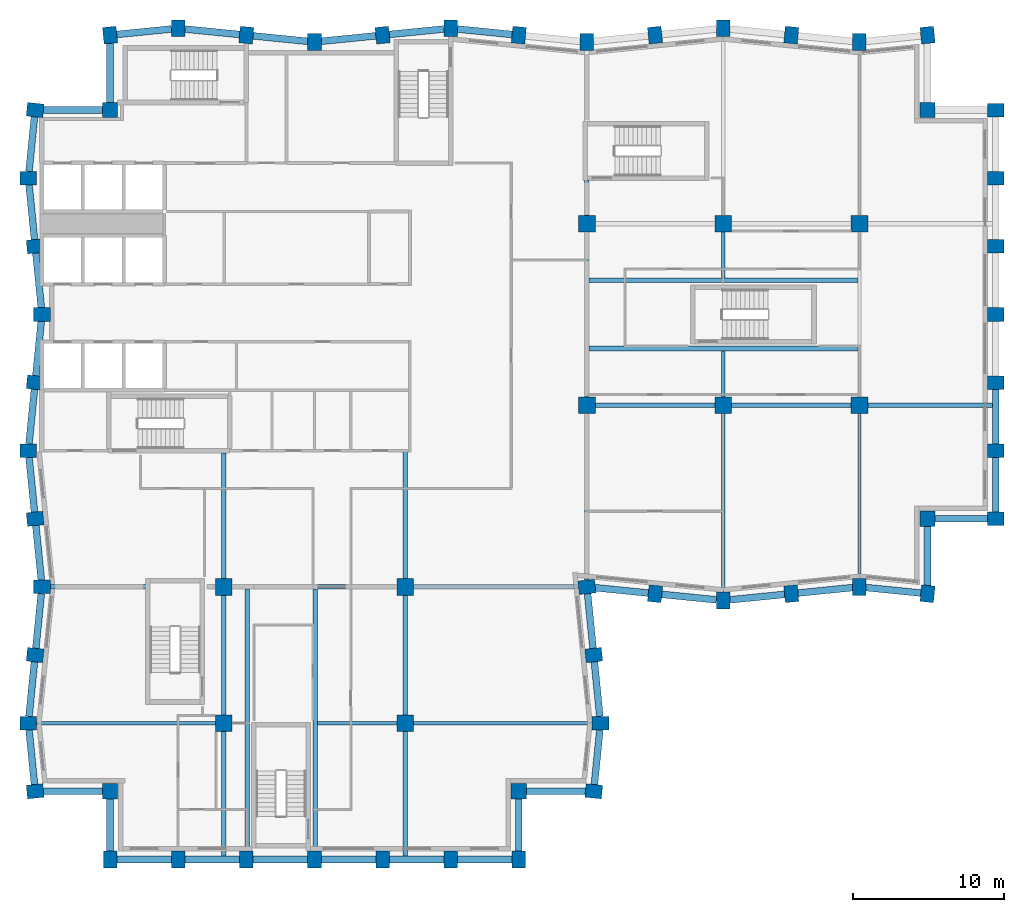
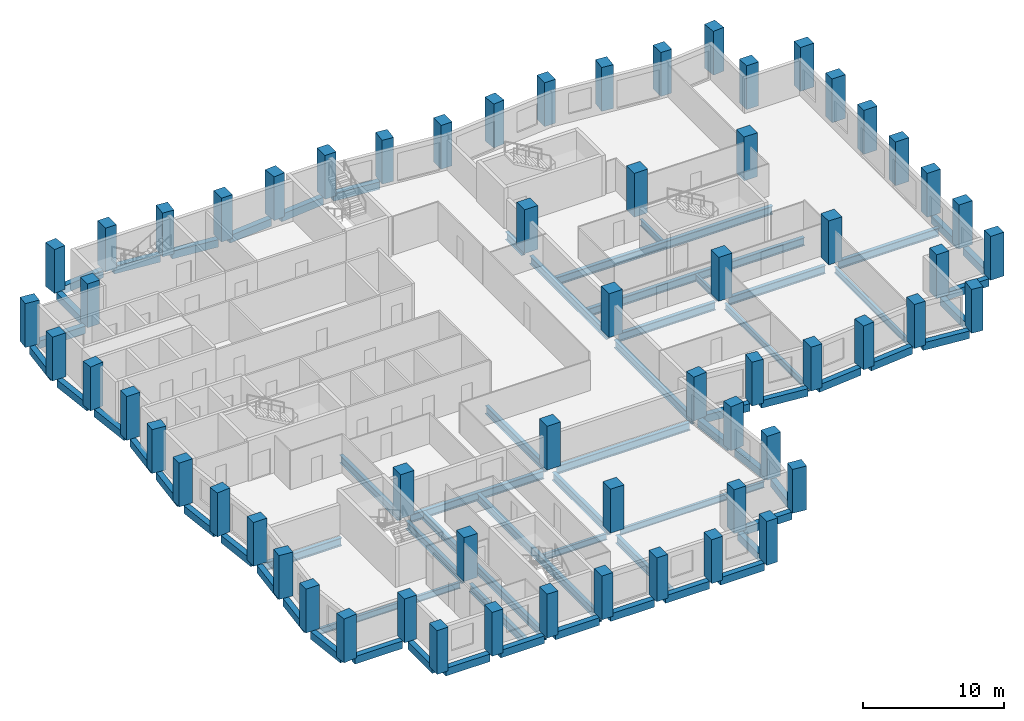
# One storey, part 1 of 10: 66 beams, 62 columns.
"""IFC4 building model written with IfcOpenShell, lengths in metres."""

import ifcopenshell
import ifcopenshell.guid

model = None  # the IFC model being written
_history = None  # IfcOwnerHistory: only IFC2X3 demands one
_inside = {}  # id of a spatial element -> (the spatial element, [elements in it])
_under = {}  # id of a project, library or spatial element -> (it, [spatial elements below it])
_declared = {}  # id of a project -> (the project, [libraries it declares])
_typed = {}  # id of a type object -> (the type object, [elements of that type])
_made_of = {}  # id of a material, layer set ... -> (it, [elements and type objects made of it])


def new_model(schema):
    """Start an empty IFC model of exactly this schema.

    Asked for "IFC4X3", IfcOpenShell would pick the latest addendum, in which some entities
    have other attributes; the version numbers below select the first issue.
    IFC2X3 requires an IfcOwnerHistory on every rooted entity: one is made here for all.
    """
    global model, _history
    if schema == "IFC4X3":
        model = ifcopenshell.file(schema_version=(4, 3, 0, 0))
    else:
        model = ifcopenshell.file(schema=schema)
    _inside.clear()
    _under.clear()
    _declared.clear()
    _typed.clear()
    _made_of.clear()
    _history = None
    if model.schema == "IFC2X3":
        org = make("IfcOrganization", Name="unknown")
        user = make(
            "IfcPersonAndOrganization",
            ThePerson=make("IfcPerson", FamilyName="unknown"),
            TheOrganization=org,
        )
        app = make(
            "IfcApplication",
            ApplicationDeveloper=org,
            Version="unknown",
            ApplicationFullName="unknown",
            ApplicationIdentifier="unknown",
        )
        _history = make(
            "IfcOwnerHistory",
            OwningUser=user,
            OwningApplication=app,
            ChangeAction="ADDED",
            CreationDate=0,
        )
    return model


def make(cls, **values):
    """One entity of the class cls with the attributes given. An attribute that is None is left unset."""
    return model.create_entity(
        cls, **{name: value for name, value in values.items() if value is not None}
    )


def rooted(cls, **values):
    """An entity with a GlobalId (a new one), such as an element, a storey or a relation."""
    return make(cls, GlobalId=ifcopenshell.guid.new(), OwnerHistory=_history, **values)


def si_unit(unit_type, name, prefix=None):
    """IfcSIUnit, for example si_unit("LENGTHUNIT", "METRE", prefix="MILLI")."""
    return make("IfcSIUnit", UnitType=unit_type, Prefix=prefix, Name=name)


def assignment(units):
    """IfcUnitAssignment: the units of a project."""
    return None if units is None else make("IfcUnitAssignment", Units=units)


def point(xyz):
    """IfcCartesianPoint."""
    return None if xyz is None else make("IfcCartesianPoint", Coordinates=xyz)


def direction(xyz):
    """IfcDirection."""
    return None if xyz is None else make("IfcDirection", DirectionRatios=xyz)


def frame(location, z_axis=None, x_axis=None):
    """IfcAxis2Placement3D, a coordinate frame: its origin and axes. An axis left out is left unset."""
    return make(
        "IfcAxis2Placement3D",
        Location=point(location),
        Axis=direction(z_axis),
        RefDirection=direction(x_axis),
    )


def frame_2d(location, x_axis=None):
    """IfcAxis2Placement2D, a coordinate frame in the plane: its origin and x axis."""
    return make(
        "IfcAxis2Placement2D", Location=point(location), RefDirection=direction(x_axis)
    )


def origin():
    """The frame at (0, 0, 0) with its axes left unset."""
    return frame((0.0, 0.0, 0.0))


def origin_2d():
    """The frame at (0, 0) in the plane with its x axis left unset."""
    return frame_2d((0.0, 0.0))


def place(relative_to, where):
    """IfcLocalPlacement: puts the frame where relative to a parent placement (None: the world)."""
    return make(
        "IfcLocalPlacement", PlacementRelTo=relative_to, RelativePlacement=where
    )


def context(
    kind, dimensions, precision=None, world=None, true_north=None, identifier=None
):
    """IfcGeometricRepresentationContext, for example the 3D "Model" context."""
    return make(
        "IfcGeometricRepresentationContext",
        ContextIdentifier=identifier,
        ContextType=kind,
        CoordinateSpaceDimension=dimensions,
        Precision=precision,
        WorldCoordinateSystem=world,
        TrueNorth=true_north,
    )


def subcontext(parent, identifier, kind, view, scale=None):
    """IfcGeometricRepresentationSubContext, for example "Body" below "Model"."""
    return make(
        "IfcGeometricRepresentationSubContext",
        ContextIdentifier=identifier,
        ContextType=kind,
        ParentContext=parent,
        TargetScale=scale,
        TargetView=view,
    )


def project(units=None, contexts=None):
    """IfcProject with its units and contexts."""
    return rooted(
        "IfcProject",
        Name="project",
        RepresentationContexts=contexts,
        UnitsInContext=assignment(units),
    )


def spatial(cls, under=None, at=None, **own):
    """A site, building, storey or space (cls), placed at a placement, below another one or the project."""
    s = rooted(cls, ObjectPlacement=at, **own)
    if under is not None:
        _under.setdefault(under.id(), (under, []))[1].append(s)
    return s


def profile(cls, at=None, kind="AREA", **sizes):
    """A parametric profile (cls). Its sizes go by their IFC names, for example OverallWidth=200.0."""
    return make(cls, ProfileType=kind, Position=at, **sizes)


def rectangle(**sizes):
    """IfcRectangleProfileDef."""
    return profile("IfcRectangleProfileDef", **sizes)


def i_section(**sizes):
    """IfcIShapeProfileDef."""
    return profile("IfcIShapeProfileDef", **sizes)


def extrude(swept, where, along, depth):
    """IfcExtrudedAreaSolid: the profile swept, set in the frame where, extruded along a direction by depth."""
    return make(
        "IfcExtrudedAreaSolid",
        SweptArea=swept,
        Position=where,
        ExtrudedDirection=direction(along),
        Depth=depth,
    )


def shape(context_of_items, identifier, shape_type, items):
    """IfcShapeRepresentation: the items that make up one representation, for example the "Body"."""
    return make(
        "IfcShapeRepresentation",
        ContextOfItems=context_of_items,
        RepresentationIdentifier=identifier,
        RepresentationType=shape_type,
        Items=items,
    )


def material(Name=None, Category=None):
    """IfcMaterial."""
    return make("IfcMaterial", Name=Name, Category=Category)


def material_profile(
    of_material, cross_section, Name=None, Category=None, Priority=None
):
    """IfcMaterialProfile: a cross section and its material."""
    return make(
        "IfcMaterialProfile",
        Name=Name,
        Material=of_material,
        Profile=cross_section,
        Priority=Priority,
        Category=Category,
    )


def profile_set(profiles, Name=None, composite=None):
    """IfcMaterialProfileSet."""
    return make(
        "IfcMaterialProfileSet",
        Name=Name,
        MaterialProfiles=profiles,
        CompositeProfile=composite,
    )


def made_of(thing, what):
    """Note that an element or type object is made of a material, layer set ...; save() writes the relation."""
    if what is not None:
        _made_of.setdefault(what.id(), (what, []))[1].append(thing)
    return thing


def type_object(cls, material=None, **own):
    """A type object (cls), such as IfcWallType, which elements share."""
    return made_of(rooted(cls, **own), material)


def element(
    cls,
    number,
    at=None,
    inside=None,
    cuts=None,
    type_object=None,
    material=None,
    context=None,
    identifier="Body",
    shape_type=None,
    held_by="IfcProductDefinitionShape",
    body=None,
    shapes=None,
    **own,
):
    """One element of the class cls, such as IfcWall. Its Tag is "e" and its number.

    at: its placement. inside: the storey or other place that contains it. cuts: it is an
    opening in that element (IfcRelVoidsElement). A single representation is given by context,
    identifier, shape_type and body (its items); several are given by shapes. held_by: the class
    of the entity that holds the representations. save() writes the other relations.
    """
    e = rooted(cls, Tag="e%d" % number, ObjectPlacement=at, **own)
    if body is not None:
        shapes = [shape(context, identifier, shape_type, body)]
    if shapes is not None:
        e.Representation = make(held_by, Representations=shapes)
    if inside is not None:
        _inside.setdefault(inside.id(), (inside, []))[1].append(e)
    if cuts is not None:
        rooted(
            "IfcRelVoidsElement", RelatingBuildingElement=cuts, RelatedOpeningElement=e
        )
    if type_object is not None:
        _typed.setdefault(type_object.id(), (type_object, []))[1].append(e)
    return made_of(e, material)


def aggregate(whole, parts):
    """IfcRelAggregates: a whole, such as a stair, and the parts it consists of."""
    return rooted("IfcRelAggregates", RelatingObject=whole, RelatedObjects=parts)


def save(model, path):
    """Write the relations noted so far, then the file.

    IfcRelAggregates (storeys below a building ...), IfcRelContainedInSpatialStructure (elements
    in a storey), IfcRelDefinesByType, IfcRelAssociatesMaterial and IfcRelDeclares: one each for
    every whole, place, type object, material and project.
    """
    for whole, parts in _under.values():
        aggregate(whole, parts)
    for where, things in _inside.values():
        rooted(
            "IfcRelContainedInSpatialStructure",
            RelatedElements=things,
            RelatingStructure=where,
        )
    for kind, things in _typed.values():
        rooted("IfcRelDefinesByType", RelatedObjects=things, RelatingType=kind)
    for what, things in _made_of.values():
        rooted("IfcRelAssociatesMaterial", RelatedObjects=things, RelatingMaterial=what)
    for by, libraries in _declared.values():
        rooted("IfcRelDeclares", RelatingContext=by, RelatedDefinitions=libraries)
    model.write(path)


model = new_model("IFC4")

# Units and contexts
model_context = context("Model", 3, precision=1e-05, world=origin(), true_north=direction((0.0, 1.0)))
body_context = subcontext(model_context, "Body", "Model", "MODEL_VIEW")
ifc_project = project(units=[si_unit("LENGTHUNIT", "METRE"), si_unit("AREAUNIT", "SQUARE_METRE"), si_unit("VOLUMEUNIT", "CUBIC_METRE"), si_unit("PLANEANGLEUNIT", "RADIAN"), si_unit("MASSUNIT", "GRAM", prefix="KILO")], contexts=[model_context])

# Site, building, storey
site_placement = place(None, origin())
site = spatial("IfcSite", under=ifc_project, at=site_placement, CompositionType="ELEMENT")
building_placement = place(site_placement, origin())
building = spatial("IfcBuilding", under=site, at=building_placement, Name="Brondeck Convention Tower", CompositionType="ELEMENT")
storey_placement = place(building_placement, frame((0.0, 0.0, 189.0)))
storey = spatial("IfcBuildingStorey", under=building, at=storey_placement, Name="L46", CompositionType="ELEMENT", Elevation=189.0)

# Columns
ifc_material_1 = material(Name="Concrete C70/85", Category="concrete")
ifc_material_profile_1 = material_profile(ifc_material_1, rectangle(XDim=1.0, YDim=1.0, at=origin_2d()), Name="Corner column 1000x1000 Concrete C70/85")
ifc_profile_set_1 = profile_set([ifc_material_profile_1], Name="Concrete C70/85")
column_type_1 = type_object("IfcColumnType", Name="Corner column 1000x1000 Concrete C70/85", PredefinedType="COLUMN", material=ifc_profile_set_1)
for number, where, z_axis, x_axis, name in (
    (1, (4.5, 13.5, 0.0), (0.0, 0.0, 1.0), (1.0, 0.0, 0.0), "STR-COL-L46-NC-SWB9"),
    (2, (31.5, 13.5, 0.0), (0.0, 0.0, 1.0), (1.0, 0.0, 0.0), "STR-COL-L46-NC-SEB9"),
    (3, (58.5, 31.5, 0.0), (0.0, 0.0, 1.0), (1.0, 0.0, 0.0), "STR-COL-L46-NC-SEA63"),
    (4, (58.5, 58.5, 0.0), (0.0, 0.0, 1.0), (1.0, 0.0, 0.0), "STR-COL-L46-NC-NEA63"),
    (5, (4.5, 58.5, 0.0), (0.0, 0.0, 1.0), (1.0, 0.0, 0.0), "STR-COL-L46-NC-NW"),
):
    element("IfcColumn", number, at=place(storey_placement, frame(where, z_axis=z_axis, x_axis=x_axis)), inside=storey, type_object=column_type_1, Name=name, PredefinedType="COLUMN", context=body_context, shape_type="SweptSolid", body=[
        extrude(rectangle(XDim=1.0, YDim=1.0, at=origin_2d()), origin(), (0.0, 0.0, 1.0), 3.800048828125),
    ])
ifc_material_profile_2 = material_profile(ifc_material_1, rectangle(XDim=1.10009765625, YDim=1.10009765625, at=origin_2d()), Name="Interior column 1100x1100 Concrete C70/85")
ifc_profile_set_2 = profile_set([ifc_material_profile_2], Name="Concrete C70/85")
column_type_2 = type_object("IfcColumnType", Name="Interior column 1100x1100 Concrete C70/85", PredefinedType="COLUMN", material=ifc_profile_set_2)
for number, where, z_axis, x_axis, name in (
    (6, (12.0, 18.0, 0.0), (0.0, 0.0, 1.0), (1.0, 0.0, 0.0), "STR-COL-L46-IC-02"),
    (7, (12.0, 27.0, 0.0), (0.0, 0.0, 1.0), (1.0, 0.0, 0.0), "STR-COL-L46-IC-03"),
    (8, (24.0, 18.0, 0.0), (0.0, 0.0, 1.0), (1.0, 0.0, 0.0), "STR-COL-L46-IC-05"),
    (9, (24.0, 27.0, 0.0), (0.0, 0.0, 1.0), (1.0, 0.0, 0.0), "STR-COL-L46-IC-06"),
    (10, (36.0, 39.0, 0.0), (0.0, 0.0, 1.0), (1.0, 0.0, 0.0), "STR-COL-L46-IC-07"),
    (11, (36.0, 51.0, 0.0), (0.0, 0.0, 1.0), (1.0, 0.0, 0.0), "STR-COL-L46-IC-08"),
    (12, (45.0, 39.0, 0.0), (0.0, 0.0, 1.0), (1.0, 0.0, 0.0), "STR-COL-L46-IC-09"),
    (13, (45.0, 51.0, 0.0), (0.0, 0.0, 1.0), (1.0, 0.0, 0.0), "STR-COL-L46-IC-10"),
    (14, (54.0, 39.0, 0.0), (0.0, 0.0, 1.0), (1.0, 0.0, 0.0), "STR-COL-L46-IC-11"),
    (15, (54.0, 51.0, 0.0), (0.0, 0.0, 1.0), (1.0, 0.0, 0.0), "STR-COL-L46-IC-12"),
):
    element("IfcColumn", number, at=place(storey_placement, frame(where, z_axis=z_axis, x_axis=x_axis)), inside=storey, type_object=column_type_2, Name=name, PredefinedType="COLUMN", context=body_context, shape_type="SweptSolid", body=[
        extrude(rectangle(XDim=1.10009765625, YDim=1.10009765625, at=origin_2d()), origin(), (0.0, 0.0, 1.0), 3.800048828125),
    ])
ifc_material_profile_3 = material_profile(ifc_material_1, rectangle(XDim=0.89990234375, YDim=1.10009765625, at=origin_2d()), Name="Perimeter pier 900x1100 Concrete C70/85")
ifc_profile_set_3 = profile_set([ifc_material_profile_3], Name="Concrete C70/85")
column_type_3 = type_object("IfcColumnType", Name="Perimeter pier 900x1100 Concrete C70/85", PredefinedType="COLUMN", material=ifc_profile_set_3)
for number, where, z_axis, x_axis, name in (
    (16, (4.5, 9.0, 0.0), (0.0, 0.0, 1.0), (1.0, 0.0, 0.0), "STR-COL-L46-PC-B-S9-01"),
    (17, (9.0, 9.0, 0.0), (0.0, 0.0, 1.0), (1.0, 0.0, 0.0), "STR-COL-L46-PC-B-S9-02"),
    (18, (13.5, 9.0, 0.0), (0.0, 0.0, 1.0), (1.0, 0.0, 0.0), "STR-COL-L46-PC-B-S9-03"),
    (19, (18.0, 9.0, 0.0), (0.0, 0.0, 1.0), (1.0, 0.0, 0.0), "STR-COL-L46-PC-B-S9-04"),
    (20, (22.5, 9.0, 0.0), (0.0, 0.0, 1.0), (1.0, 0.0, 0.0), "STR-COL-L46-PC-B-S9-05"),
    (21, (27.0, 9.0, 0.0), (0.0, 0.0, 1.0), (1.0, 0.0, 0.0), "STR-COL-L46-PC-B-S9-06"),
    (22, (31.5, 9.0, 0.0), (0.0, 0.0, 1.0), (1.0, 0.0, 0.0), "STR-COL-L46-PC-B-S9-07"),
    (23, (36.449951171875, 13.5, 0.0), (0.0, 0.0, 1.0), (0.0995038382, 0.995037178292, 0.0), "STR-COL-L46-PC-B-E-03"),
    (24, (36.89990234375, 18.0, 0.0), (0.0, 0.0, 1.0), (0.0, 1.0, 0.0), "STR-COL-L46-PC-B-E-02"),
    (25, (36.449951171875, 22.5, 0.0), (0.0, 0.0, 1.0), (-0.0995038382, 0.995037178292, 0.0), "STR-COL-L46-PC-B-E-01"),
    (26, (36.0, 27.0, 0.0), (0.0, 0.0, 1.0), (-0.0995038382, 0.995037178292, 0.0), "STR-COL-L46-PC-B-E-00"),
    (27, (40.5, 26.550048828125, 0.0), (0.0, 0.0, 1.0), (0.995037178292, -0.0995038382, 0.0), "STR-COL-L46-PC-A-S-01"),
    (28, (45.0, 26.10009765625, 0.0), (0.0, 0.0, 1.0), (1.0, 0.0, 0.0), "STR-COL-L46-PC-A-S-02"),
    (29, (49.5, 26.550048828125, 0.0), (0.0, 0.0, 1.0), (0.995037178292, 0.0995038382, 0.0), "STR-COL-L46-PC-A-S-03"),
    (30, (54.0, 27.0, 0.0), (0.0, 0.0, 1.0), (1.0, 0.0, 0.0), "STR-COL-L46-PC-A-S-04"),
    (31, (58.5, 26.550048828125, 0.0), (0.0, 0.0, 1.0), (0.995037178292, -0.0995038382, 0.0), "STR-COL-L46-PC-A-S-05"),
    (32, (63.0, 31.5, 0.0), (0.0, 0.0, 1.0), (0.0, 1.0, 0.0), "STR-COL-L46-PC-A-E63-01"),
    (33, (63.0, 36.0, 0.0), (0.0, 0.0, 1.0), (0.0, 1.0, 0.0), "STR-COL-L46-PC-A-E63-02"),
    (34, (63.0, 40.5, 0.0), (0.0, 0.0, 1.0), (0.0, 1.0, 0.0), "STR-COL-L46-PC-A-E63-03"),
    (35, (63.0, 45.0, 0.0), (0.0, 0.0, 1.0), (0.0, 1.0, 0.0), "STR-COL-L46-PC-A-E63-04"),
    (36, (63.0, 49.5, 0.0), (0.0, 0.0, 1.0), (0.0, 1.0, 0.0), "STR-COL-L46-PC-A-E63-05"),
    (37, (63.0, 54.0, 0.0), (0.0, 0.0, 1.0), (0.0, 1.0, 0.0), "STR-COL-L46-PC-A-E63-06"),
    (38, (63.0, 58.5, 0.0), (0.0, 0.0, 1.0), (0.0, 1.0, 0.0), "STR-COL-L46-PC-A-E63-07"),
    (39, (58.5, 63.449951171875, 0.0), (0.0, 0.0, 1.0), (-0.995037178292, -0.0995038382, 0.0), "STR-COL-L46-PC-A-N-13"),
    (40, (54.0, 63.0, 0.0), (0.0, 0.0, 1.0), (-1.0, 0.0, 0.0), "STR-COL-L46-PC-A-N-12"),
    (41, (49.5, 63.449951171875, 0.0), (0.0, 0.0, 1.0), (-0.995037178292, 0.0995038382, 0.0), "STR-COL-L46-PC-A-N-11"),
    (42, (45.0, 63.89990234375, 0.0), (0.0, 0.0, 1.0), (-1.0, 0.0, 0.0), "STR-COL-L46-PC-A-N-10"),
    (43, (40.5, 63.449951171875, 0.0), (0.0, 0.0, 1.0), (-0.995037178292, -0.0995038382, 0.0), "STR-COL-L46-PC-A-N-09"),
    (44, (36.0, 63.0, 0.0), (0.0, 0.0, 1.0), (-1.0, 0.0, 0.0), "STR-COL-L46-PC-A-N-08"),
    (45, (31.5, 63.449951171875, 0.0), (0.0, 0.0, 1.0), (-0.995037178292, 0.0995038382, 0.0), "STR-COL-L46-PC-A-N-07"),
    (46, (27.0, 63.89990234375, 0.0), (0.0, 0.0, 1.0), (-1.0, 0.0, 0.0), "STR-COL-L46-PC-A-N-06"),
    (47, (22.5, 63.449951171875, 0.0), (0.0, 0.0, 1.0), (-0.995037178292, -0.0995038382, 0.0), "STR-COL-L46-PC-A-N-05"),
    (48, (18.0, 63.0, 0.0), (0.0, 0.0, 1.0), (-1.0, 0.0, 0.0), "STR-COL-L46-PC-A-N-04"),
    (49, (13.5, 63.449951171875, 0.0), (0.0, 0.0, 1.0), (-0.995037178292, 0.0995038382, 0.0), "STR-COL-L46-PC-A-N-03"),
    (50, (9.0, 63.89990234375, 0.0), (0.0, 0.0, 1.0), (-1.0, 0.0, 0.0), "STR-COL-L46-PC-A-N-02"),
    (51, (4.5, 63.449951171875, 0.0), (0.0, 0.0, 1.0), (-0.995037178292, -0.0995038382, 0.0), "STR-COL-L46-PC-A-N-01"),
    (52, (-0.449951171875, 58.5, 0.0), (0.0, 0.0, 1.0), (-0.0995038382, -0.995037178292, 0.0), "STR-COL-L46-PC-B-W-01"),
    (53, (-0.89990234375, 54.0, 0.0), (0.0, 0.0, 1.0), (0.0, -1.0, 0.0), "STR-COL-L46-PC-B-W-02"),
    (54, (-0.449951171875, 49.5, 0.0), (0.0, 0.0, 1.0), (0.0995038382, -0.995037178292, 0.0), "STR-COL-L46-PC-B-W-03"),
    (55, (0.0, 45.0, 0.0), (0.0, 0.0, 1.0), (0.0, -1.0, 0.0), "STR-COL-L46-PC-B-W-04"),
    (56, (-0.449951171875, 40.5, 0.0), (0.0, 0.0, 1.0), (-0.0995038382, -0.995037178292, 0.0), "STR-COL-L46-PC-B-W-05"),
    (57, (-0.89990234375, 36.0, 0.0), (0.0, 0.0, 1.0), (0.0, -1.0, 0.0), "STR-COL-L46-PC-B-W-06"),
    (58, (-0.449951171875, 31.5, 0.0), (0.0, 0.0, 1.0), (0.0995038382, -0.995037178292, 0.0), "STR-COL-L46-PC-B-W-07"),
    (59, (0.0, 27.0, 0.0), (0.0, 0.0, 1.0), (0.0, -1.0, 0.0), "STR-COL-L46-PC-B-W-08"),
    (60, (-0.449951171875, 22.5, 0.0), (0.0, 0.0, 1.0), (-0.0995038382, -0.995037178292, 0.0), "STR-COL-L46-PC-B-W-09"),
    (61, (-0.89990234375, 18.0, 0.0), (0.0, 0.0, 1.0), (0.0, -1.0, 0.0), "STR-COL-L46-PC-B-W-10"),
    (62, (-0.449951171875, 13.5, 0.0), (0.0, 0.0, 1.0), (0.0995038382, -0.995037178292, 0.0), "STR-COL-L46-PC-B-W-11"),
):
    element("IfcColumn", number, at=place(storey_placement, frame(where, z_axis=z_axis, x_axis=x_axis)), inside=storey, type_object=column_type_3, Name=name, PredefinedType="COLUMN", context=body_context, shape_type="SweptSolid", body=[
        extrude(rectangle(XDim=0.89990234375, YDim=1.10009765625, at=origin_2d()), origin(), (0.0, 0.0, 1.0), 3.800048828125),
    ])

# Beams
ifc_material_2 = material(Name="Steel S355", Category="steel")
ifc_material_profile_4 = material_profile(ifc_material_2, i_section(OverallWidth=0.2099609375, OverallDepth=0.550048828125, WebThickness=0.010986328125, FlangeThickness=0.01708984375, FilletRadius=0.02392578125, at=origin_2d()), Name="IPE 550")
ifc_profile_set_4 = profile_set([ifc_material_profile_4], Name="Steel S355")
beam_type_1 = type_object("IfcBeamType", Name="Floor beam IPE 550", PredefinedType="BEAM", material=ifc_profile_set_4)
beam_1_placement = place(storey_placement, frame((45.0, 26.64990234375, -0.574951171875), z_axis=(0.0, 1.0, 0.0), x_axis=(-1.0, 0.0, 0.0)))
element("IfcBeam", 63, at=beam_1_placement, inside=storey, type_object=beam_type_1, Name="STR-FB-L46-001", PredefinedType="BEAM", context=body_context, shape_type="SweptSolid", body=[
    extrude(i_section(OverallWidth=0.2099609375, OverallDepth=0.550048828125, WebThickness=0.010986328125, FlangeThickness=0.01708984375, FilletRadius=0.02392578125, at=origin_2d()), origin(), (0.0, 0.0, 1.0), 11.800048828125),
])
beam_2_placement = place(storey_placement, frame((54.0, 27.550048828125, -0.574951171875), z_axis=(0.0, 1.0, 0.0), x_axis=(-1.0, 0.0, 0.0)))
element("IfcBeam", 64, at=beam_2_placement, inside=storey, type_object=beam_type_1, Name="STR-FB-L46-003", PredefinedType="BEAM", context=body_context, shape_type="SweptSolid", body=[
    extrude(i_section(OverallWidth=0.2099609375, OverallDepth=0.550048828125, WebThickness=0.010986328125, FlangeThickness=0.01708984375, FilletRadius=0.02392578125, at=origin_2d()), origin(), (0.0, 0.0, 1.0), 10.89990234375),
])
for number, where, z_axis, x_axis, name in (
    (65, (-0.35009765625, 18.0, -0.574951171875), (1.0, 0.0, 0.0), (0.0, 1.0, 0.0), "STR-FB-L46-006"),
    (66, (24.550048828125, 18.0, -0.574951171875), (1.0, 0.0, 0.0), (0.0, 1.0, 0.0), "STR-FB-L46-007"),
):
    element("IfcBeam", number, at=place(storey_placement, frame(where, z_axis=z_axis, x_axis=x_axis)), inside=storey, type_object=beam_type_1, Name=name, PredefinedType="BEAM", context=body_context, shape_type="SweptSolid", body=[
        extrude(i_section(OverallWidth=0.2099609375, OverallDepth=0.550048828125, WebThickness=0.010986328125, FlangeThickness=0.01708984375, FilletRadius=0.02392578125, at=origin_2d()), origin(), (0.0, 0.0, 1.0), 11.800048828125),
    ])
for number, where, z_axis, x_axis, name in (
    (67, (45.0, 39.550048828125, -0.574951171875), (0.0, 1.0, 0.0), (-1.0, 0.0, 0.0), "STR-FB-L46-008"),
    (68, (45.0, 47.39990234375, -0.574951171875), (0.0, 1.0, 0.0), (-1.0, 0.0, 0.0), "STR-FB-L46-009"),
):
    element("IfcBeam", number, at=place(storey_placement, frame(where, z_axis=z_axis, x_axis=x_axis)), inside=storey, type_object=beam_type_1, Name=name, PredefinedType="BEAM", context=body_context, shape_type="SweptSolid", body=[
        extrude(i_section(OverallWidth=0.2099609375, OverallDepth=0.550048828125, WebThickness=0.010986328125, FlangeThickness=0.01708984375, FilletRadius=0.02392578125, at=origin_2d()), origin(), (0.0, 0.0, 1.0), 3.050048828125),
    ])
beam_3_placement = place(storey_placement, frame((18.199951171875, 18.0, -0.574951171875), z_axis=(1.0, 0.0, 0.0), x_axis=(0.0, 1.0, 0.0)))
element("IfcBeam", 69, at=beam_3_placement, inside=storey, type_object=beam_type_1, Name="STR-FB-L46-010", PredefinedType="BEAM", context=body_context, shape_type="SweptSolid", body=[
    extrude(i_section(OverallWidth=0.2099609375, OverallDepth=0.550048828125, WebThickness=0.010986328125, FlangeThickness=0.01708984375, FilletRadius=0.02392578125, at=origin_2d()), origin(), (0.0, 0.0, 1.0), 5.25),
])
ifc_material_profile_5 = material_profile(ifc_material_2, i_section(OverallWidth=0.300048828125, OverallDepth=0.699951171875, WebThickness=0.01708984375, FlangeThickness=0.031982421875, FilletRadius=0.027099609375, at=origin_2d()), Name="HEB 700")
ifc_profile_set_5 = profile_set([ifc_material_profile_5], Name="Steel S355")
beam_type_2 = type_object("IfcBeamType", Name="Girder HEB 700", PredefinedType="BEAM", material=ifc_profile_set_5)
for number, where, z_axis, x_axis, name in (
    (70, (36.550048828125, 39.0, -0.64990234375), (1.0, 0.0, 0.0), (0.0, 1.0, 0.0), "STR-GR-L46-001"),
    (71, (45.550048828125, 39.0, -0.64990234375), (1.0, 0.0, 0.0), (0.0, 1.0, 0.0), "STR-GR-L46-002"),
):
    element("IfcBeam", number, at=place(storey_placement, frame(where, z_axis=z_axis, x_axis=x_axis)), inside=storey, type_object=beam_type_2, Name=name, PredefinedType="BEAM", context=body_context, shape_type="SweptSolid", body=[
        extrude(i_section(OverallWidth=0.300048828125, OverallDepth=0.699951171875, WebThickness=0.01708984375, FlangeThickness=0.031982421875, FilletRadius=0.027099609375, at=origin_2d()), origin(), (0.0, 0.0, 1.0), 7.89990234375),
    ])
beam_4_placement = place(storey_placement, frame((54.550048828125, 39.0, -0.64990234375), z_axis=(1.0, 0.0, 0.0), x_axis=(0.0, 1.0, 0.0)))
element("IfcBeam", 72, at=beam_4_placement, inside=storey, type_object=beam_type_2, Name="STR-GR-L46-003", PredefinedType="BEAM", context=body_context, shape_type="SweptSolid", body=[
    extrude(i_section(OverallWidth=0.300048828125, OverallDepth=0.699951171875, WebThickness=0.01708984375, FlangeThickness=0.031982421875, FilletRadius=0.027099609375, at=origin_2d()), origin(), (0.0, 0.0, 1.0), 8.224853515625),
])
beam_5_placement = place(storey_placement, frame((36.0, 27.4521484375, -0.64990234375), z_axis=(0.0, 1.0, 0.0), x_axis=(-1.0, 0.0, 0.0)))
element("IfcBeam", 73, at=beam_5_placement, inside=storey, type_object=beam_type_2, Name="STR-GR-L46-007", PredefinedType="BEAM", context=body_context, shape_type="SweptSolid", body=[
    extrude(i_section(OverallWidth=0.300048828125, OverallDepth=0.699951171875, WebThickness=0.01708984375, FlangeThickness=0.031982421875, FilletRadius=0.027099609375, at=origin_2d()), origin(), (0.0, 0.0, 1.0), 10.997802734375),
])
beam_6_placement = place(storey_placement, frame((36.0, 39.550048828125, -0.64990234375), z_axis=(0.0, 1.0, 0.0), x_axis=(-1.0, 0.0, 0.0)))
element("IfcBeam", 74, at=beam_6_placement, inside=storey, type_object=beam_type_2, Name="STR-GR-L46-008", PredefinedType="BEAM", context=body_context, shape_type="SweptSolid", body=[
    extrude(i_section(OverallWidth=0.300048828125, OverallDepth=0.699951171875, WebThickness=0.01708984375, FlangeThickness=0.031982421875, FilletRadius=0.027099609375, at=origin_2d()), origin(), (0.0, 0.0, 1.0), 10.89990234375),
])
beam_7_placement = place(storey_placement, frame((36.0, 51.550048828125, -0.64990234375), z_axis=(0.0, 1.0, 0.0), x_axis=(-1.0, 0.0, 0.0)))
element("IfcBeam", 75, at=beam_7_placement, inside=storey, type_object=beam_type_2, Name="STR-GR-L46-009", PredefinedType="BEAM", context=body_context, shape_type="SweptSolid", body=[
    extrude(i_section(OverallWidth=0.300048828125, OverallDepth=0.699951171875, WebThickness=0.01708984375, FlangeThickness=0.031982421875, FilletRadius=0.027099609375, at=origin_2d()), origin(), (0.0, 0.0, 1.0), 2.329833984375),
])
beam_8_placement = place(storey_placement, frame((12.0, 35.85009765625, -0.64990234375), z_axis=(0.0, -1.0, 0.0), x_axis=(1.0, 0.0, 0.0)))
element("IfcBeam", 76, at=beam_8_placement, inside=storey, type_object=beam_type_2, Name="STR-GR-L46-011", PredefinedType="BEAM", context=body_context, shape_type="SweptSolid", body=[
    extrude(i_section(OverallWidth=0.300048828125, OverallDepth=0.699951171875, WebThickness=0.01708984375, FlangeThickness=0.031982421875, FilletRadius=0.027099609375, at=origin_2d()), origin(), (0.0, 0.0, 1.0), 8.300048828125),
])
beam_9_placement = place(storey_placement, frame((12.0, 26.449951171875, -0.64990234375), z_axis=(0.0, -1.0, 0.0), x_axis=(1.0, 0.0, 0.0)))
element("IfcBeam", 77, at=beam_9_placement, inside=storey, type_object=beam_type_2, Name="STR-GR-L46-012", PredefinedType="BEAM", context=body_context, shape_type="SweptSolid", body=[
    extrude(i_section(OverallWidth=0.300048828125, OverallDepth=0.699951171875, WebThickness=0.01708984375, FlangeThickness=0.031982421875, FilletRadius=0.027099609375, at=origin_2d()), origin(), (0.0, 0.0, 1.0), 7.89990234375),
])
beam_10_placement = place(storey_placement, frame((12.0, 17.449951171875, -0.64990234375), z_axis=(0.0, -1.0, 0.0), x_axis=(1.0, 0.0, 0.0)))
element("IfcBeam", 78, at=beam_10_placement, inside=storey, type_object=beam_type_2, Name="STR-GR-L46-013", PredefinedType="BEAM", context=body_context, shape_type="SweptSolid", body=[
    extrude(i_section(OverallWidth=0.300048828125, OverallDepth=0.699951171875, WebThickness=0.01708984375, FlangeThickness=0.031982421875, FilletRadius=0.027099609375, at=origin_2d()), origin(), (0.0, 0.0, 1.0), 8.224853515625),
])
beam_11_placement = place(storey_placement, frame((24.0, 35.955078125, -0.64990234375), z_axis=(0.0, -1.0, 0.0), x_axis=(1.0, 0.0, 0.0)))
element("IfcBeam", 79, at=beam_11_placement, inside=storey, type_object=beam_type_2, Name="STR-GR-L46-014", PredefinedType="BEAM", context=body_context, shape_type="SweptSolid", body=[
    extrude(i_section(OverallWidth=0.300048828125, OverallDepth=0.699951171875, WebThickness=0.01708984375, FlangeThickness=0.031982421875, FilletRadius=0.027099609375, at=origin_2d()), origin(), (0.0, 0.0, 1.0), 8.405029296875),
])
beam_12_placement = place(storey_placement, frame((24.0, 26.449951171875, -0.64990234375), z_axis=(0.0, -1.0, 0.0), x_axis=(1.0, 0.0, 0.0)))
element("IfcBeam", 80, at=beam_12_placement, inside=storey, type_object=beam_type_2, Name="STR-GR-L46-015", PredefinedType="BEAM", context=body_context, shape_type="SweptSolid", body=[
    extrude(i_section(OverallWidth=0.300048828125, OverallDepth=0.699951171875, WebThickness=0.01708984375, FlangeThickness=0.031982421875, FilletRadius=0.027099609375, at=origin_2d()), origin(), (0.0, 0.0, 1.0), 7.89990234375),
])
beam_13_placement = place(storey_placement, frame((24.0, 17.449951171875, -0.64990234375), z_axis=(0.0, -1.0, 0.0), x_axis=(1.0, 0.0, 0.0)))
element("IfcBeam", 81, at=beam_13_placement, inside=storey, type_object=beam_type_2, Name="STR-GR-L46-016", PredefinedType="BEAM", context=body_context, shape_type="SweptSolid", body=[
    extrude(i_section(OverallWidth=0.300048828125, OverallDepth=0.699951171875, WebThickness=0.01708984375, FlangeThickness=0.031982421875, FilletRadius=0.027099609375, at=origin_2d()), origin(), (0.0, 0.0, 1.0), 8.224853515625),
])
beam_14_placement = place(storey_placement, frame((0.550048828125, 27.0, -0.64990234375), z_axis=(1.0, 0.0, 0.0), x_axis=(0.0, 1.0, 0.0)))
element("IfcBeam", 82, at=beam_14_placement, inside=storey, type_object=beam_type_2, Name="STR-GR-L46-017", PredefinedType="BEAM", context=body_context, shape_type="SweptSolid", body=[
    extrude(i_section(OverallWidth=0.300048828125, OverallDepth=0.699951171875, WebThickness=0.01708984375, FlangeThickness=0.031982421875, FilletRadius=0.027099609375, at=origin_2d()), origin(), (0.0, 0.0, 1.0), 6.329833984375),
])
beam_15_placement = place(storey_placement, frame((12.550048828125, 27.0, -0.64990234375), z_axis=(1.0, 0.0, 0.0), x_axis=(0.0, 1.0, 0.0)))
element("IfcBeam", 83, at=beam_15_placement, inside=storey, type_object=beam_type_2, Name="STR-GR-L46-018", PredefinedType="BEAM", context=body_context, shape_type="SweptSolid", body=[
    extrude(i_section(OverallWidth=0.300048828125, OverallDepth=0.699951171875, WebThickness=0.01708984375, FlangeThickness=0.031982421875, FilletRadius=0.027099609375, at=origin_2d()), origin(), (0.0, 0.0, 1.0), 10.89990234375),
])
beam_16_placement = place(storey_placement, frame((24.550048828125, 27.0, -0.64990234375), z_axis=(1.0, 0.0, 0.0), x_axis=(0.0, 1.0, 0.0)))
element("IfcBeam", 84, at=beam_16_placement, inside=storey, type_object=beam_type_2, Name="STR-GR-L46-019", PredefinedType="BEAM", context=body_context, shape_type="SweptSolid", body=[
    extrude(i_section(OverallWidth=0.300048828125, OverallDepth=0.699951171875, WebThickness=0.01708984375, FlangeThickness=0.031982421875, FilletRadius=0.027099609375, at=origin_2d()), origin(), (0.0, 0.0, 1.0), 10.897216796875),
])
for number, where, z_axis, x_axis, name in (
    (85, (36.14990234375, 42.75, -0.64990234375), (1.0, 0.0, 0.0), (0.0, 1.0, 0.0), "STR-GR-L46-020"),
    (86, (36.14990234375, 47.25, -0.64990234375), (1.0, 0.0, 0.0), (0.0, 1.0, 0.0), "STR-GR-L46-021"),
):
    element("IfcBeam", number, at=place(storey_placement, frame(where, z_axis=z_axis, x_axis=x_axis)), inside=storey, type_object=beam_type_2, Name=name, PredefinedType="BEAM", context=body_context, shape_type="SweptSolid", body=[
        extrude(i_section(OverallWidth=0.300048828125, OverallDepth=0.699951171875, WebThickness=0.01708984375, FlangeThickness=0.031982421875, FilletRadius=0.027099609375, at=origin_2d()), origin(), (0.0, 0.0, 1.0), 17.7451171875),
    ])
for number, where, z_axis, x_axis, name in (
    (87, (13.550048828125, 9.550048828125, -0.64990234375), (0.0, 1.0, 0.0), (-1.0, 0.0, 0.0), "STR-GR-L46-022"),
    (88, (18.050048828125, 9.550048828125, -0.64990234375), (0.0, 1.0, 0.0), (-1.0, 0.0, 0.0), "STR-GR-L46-023"),
):
    element("IfcBeam", number, at=place(storey_placement, frame(where, z_axis=z_axis, x_axis=x_axis)), inside=storey, type_object=beam_type_2, Name=name, PredefinedType="BEAM", context=body_context, shape_type="SweptSolid", body=[
        extrude(i_section(OverallWidth=0.300048828125, OverallDepth=0.699951171875, WebThickness=0.01708984375, FlangeThickness=0.031982421875, FilletRadius=0.027099609375, at=origin_2d()), origin(), (0.0, 0.0, 1.0), 17.300048828125),
    ])
ifc_material_profile_6 = material_profile(ifc_material_1, rectangle(XDim=0.449951171875, YDim=0.64990234375, at=origin_2d()), Name="Precast spandrel 450x650 Concrete C70/85")
ifc_profile_set_6 = profile_set([ifc_material_profile_6], Name="Concrete C70/85")
beam_type_3 = type_object("IfcBeamType", Name="Precast spandrel 450x650 Concrete C70/85", PredefinedType="SPANDREL", material=ifc_profile_set_6)
for number, where, z_axis, x_axis, name in (
    (89, (4.949951171875, 9.0, -0.324951171875), (1.0, 0.0, 0.0), (0.0, 1.0, 0.0), "STR-SP-L46-001"),
    (90, (9.449951171875, 9.0, -0.324951171875), (1.0, 0.0, 0.0), (0.0, 1.0, 0.0), "STR-SP-L46-002"),
    (91, (13.949951171875, 9.0, -0.324951171875), (1.0, 0.0, 0.0), (0.0, 1.0, 0.0), "STR-SP-L46-003"),
    (92, (18.449951171875, 9.0, -0.324951171875), (1.0, 0.0, 0.0), (0.0, 1.0, 0.0), "STR-SP-L46-004"),
    (93, (22.949951171875, 9.0, -0.324951171875), (1.0, 0.0, 0.0), (0.0, 1.0, 0.0), "STR-SP-L46-005"),
    (94, (27.449951171875, 9.0, -0.324951171875), (1.0, 0.0, 0.0), (0.0, 1.0, 0.0), "STR-SP-L46-006"),
):
    element("IfcBeam", number, at=place(storey_placement, frame(where, z_axis=z_axis, x_axis=x_axis)), inside=storey, type_object=beam_type_3, Name=name, PredefinedType="SPANDREL", context=body_context, shape_type="SweptSolid", body=[
        extrude(rectangle(XDim=0.449951171875, YDim=0.64990234375, at=origin_2d()), origin(), (0.0, 0.0, 1.0), 3.60009765625),
    ])
beam_17_placement = place(storey_placement, frame((31.5, 9.550048828125, -0.324951171875), z_axis=(0.0, 1.0, 0.0), x_axis=(-1.0, 0.0, 0.0)))
element("IfcBeam", 95, at=beam_17_placement, inside=storey, type_object=beam_type_3, Name="STR-SP-L46-007", PredefinedType="SPANDREL", context=body_context, shape_type="SweptSolid", body=[
    extrude(rectangle(XDim=0.449951171875, YDim=0.64990234375, at=origin_2d()), origin(), (0.0, 0.0, 1.0), 3.449951171875),
])
beam_18_placement = place(storey_placement, frame((32.0, 13.5, -0.324951171875), z_axis=(1.0, 0.0, 0.0), x_axis=(0.0, 1.0, 0.0)))
element("IfcBeam", 96, at=beam_18_placement, inside=storey, type_object=beam_type_3, Name="STR-SP-L46-008", PredefinedType="SPANDREL", context=body_context, shape_type="SweptSolid", body=[
    extrude(rectangle(XDim=0.449951171875, YDim=0.64990234375, at=origin_2d()), origin(), (0.0, 0.0, 1.0), 3.897216796875),
])
for number, where, z_axis, x_axis, name in (
    (97, (36.494873046875, 13.94775390625, -0.324951171875), (0.099470334057, 0.995040528141, 0.0), (-0.995040528141, 0.099470334057, 0.0), "STR-SP-L46-009"),
    (98, (36.85498046875, 18.449951171875, -0.324951171875), (-0.099470334057, 0.995040528141, 0.0), (-0.995040528141, -0.099470334057, 0.0), "STR-SP-L46-010"),
):
    element("IfcBeam", number, at=place(storey_placement, frame(where, z_axis=z_axis, x_axis=x_axis)), inside=storey, type_object=beam_type_3, Name=name, PredefinedType="SPANDREL", context=body_context, shape_type="SweptSolid", body=[
        extrude(rectangle(XDim=0.449951171875, YDim=0.64990234375, at=origin_2d()), origin(), (0.0, 0.0, 1.0), 3.620361328125),
    ])
beam_19_placement = place(storey_placement, frame((36.4052734375, 22.94775390625, -0.324951171875), z_axis=(-0.099543756114, 0.995033185687, 0.0), x_axis=(-0.995033185687, -0.099543756114, 0.0)))
element("IfcBeam", 99, at=beam_19_placement, inside=storey, type_object=beam_type_3, Name="STR-SP-L46-011", PredefinedType="SPANDREL", context=body_context, shape_type="SweptSolid", body=[
    extrude(rectangle(XDim=0.449951171875, YDim=0.64990234375, at=origin_2d()), origin(), (0.0, 0.0, 1.0), 3.62255859375),
])
beam_20_placement = place(storey_placement, frame((36.558349609375, 26.944091796875, -0.324951171875), z_axis=(0.995037878598, -0.099496834901, 0.0), x_axis=(0.099496834901, 0.995037878598, 0.0)))
element("IfcBeam", 100, at=beam_20_placement, inside=storey, type_object=beam_type_3, Name="STR-SP-L46-012", PredefinedType="SPANDREL", context=body_context, shape_type="SweptSolid", body=[
    extrude(rectangle(XDim=0.449951171875, YDim=0.64990234375, at=origin_2d()), origin(), (0.0, 0.0, 1.0), 3.51123046875),
])
for number, where, z_axis, x_axis, name in (
    (101, (40.94775390625, 26.505126953125, -0.324951171875), (0.995040528141, -0.099470334057, 0.0), (0.099470334057, 0.995040528141, 0.0), "STR-SP-L46-013"),
    (102, (45.449951171875, 26.14501953125, -0.324951171875), (0.995040528141, 0.099470334057, 0.0), (-0.099470334057, 0.995040528141, 0.0), "STR-SP-L46-014"),
    (103, (49.94775390625, 26.5947265625, -0.324951171875), (0.995033851182, 0.099537103649, 0.0), (-0.099537103649, 0.995033851182, 0.0), "STR-SP-L46-015"),
    (104, (54.449951171875, 26.955078125, -0.324951171875), (0.995033851182, -0.099537103649, 0.0), (0.099537103649, 0.995033851182, 0.0), "STR-SP-L46-016"),
):
    element("IfcBeam", number, at=place(storey_placement, frame(where, z_axis=z_axis, x_axis=x_axis)), inside=storey, type_object=beam_type_3, Name=name, PredefinedType="SPANDREL", context=body_context, shape_type="SweptSolid", body=[
        extrude(rectangle(XDim=0.449951171875, YDim=0.64990234375, at=origin_2d()), origin(), (0.0, 0.0, 1.0), 3.620361328125),
    ])
beam_21_placement = place(storey_placement, frame((58.5, 27.102783203125, -0.324951171875), z_axis=(0.0, 1.0, 0.0), x_axis=(-1.0, 0.0, 0.0)))
element("IfcBeam", 105, at=beam_21_placement, inside=storey, type_object=beam_type_3, Name="STR-SP-L46-017", PredefinedType="SPANDREL", context=body_context, shape_type="SweptSolid", body=[
    extrude(rectangle(XDim=0.449951171875, YDim=0.64990234375, at=origin_2d()), origin(), (0.0, 0.0, 1.0), 3.897216796875),
])
beam_22_placement = place(storey_placement, frame((59.0, 31.5, -0.324951171875), z_axis=(1.0, 0.0, 0.0), x_axis=(0.0, 1.0, 0.0)))
element("IfcBeam", 106, at=beam_22_placement, inside=storey, type_object=beam_type_3, Name="STR-SP-L46-018", PredefinedType="SPANDREL", context=body_context, shape_type="SweptSolid", body=[
    extrude(rectangle(XDim=0.449951171875, YDim=0.64990234375, at=origin_2d()), origin(), (0.0, 0.0, 1.0), 3.449951171875),
])
for number, where, z_axis, x_axis, name in (
    (107, (63.0, 31.949951171875, -0.324951171875), (0.0, 1.0, 0.0), (-1.0, 0.0, 0.0), "STR-SP-L46-019"),
    (108, (63.0, 36.449951171875, -0.324951171875), (0.0, 1.0, 0.0), (-1.0, 0.0, 0.0), "STR-SP-L46-020"),
):
    element("IfcBeam", number, at=place(storey_placement, frame(where, z_axis=z_axis, x_axis=x_axis)), inside=storey, type_object=beam_type_3, Name=name, PredefinedType="SPANDREL", context=body_context, shape_type="SweptSolid", body=[
        extrude(rectangle(XDim=0.449951171875, YDim=0.64990234375, at=origin_2d()), origin(), (0.0, 0.0, 1.0), 3.60009765625),
    ])
for number, where, z_axis, x_axis, name in (
    (109, (31.05224609375, 63.494873046875, -0.324951171875), (-0.995040528141, 0.099470334057, 0.0), (-0.099470334057, -0.995040528141, 0.0), "STR-SP-L46-033"),
    (110, (26.550048828125, 63.85498046875, -0.324951171875), (-0.995040528141, -0.099470334057, 0.0), (0.099470334057, -0.995040528141, 0.0), "STR-SP-L46-034"),
    (111, (22.05224609375, 63.4052734375, -0.324951171875), (-0.995033851182, -0.099537103649, 0.0), (0.099537103649, -0.995033851182, 0.0), "STR-SP-L46-035"),
    (112, (17.550048828125, 63.044921875, -0.324951171875), (-0.995033851182, 0.099537103649, 0.0), (-0.099537103649, -0.995033851182, 0.0), "STR-SP-L46-036"),
    (113, (13.05224609375, 63.494873046875, -0.324951171875), (-0.995040528141, 0.099470334057, 0.0), (-0.099470334057, -0.995040528141, 0.0), "STR-SP-L46-037"),
    (114, (8.550048828125, 63.85498046875, -0.324951171875), (-0.995040528141, -0.099470334057, 0.0), (0.099470334057, -0.995040528141, 0.0), "STR-SP-L46-038"),
):
    element("IfcBeam", number, at=place(storey_placement, frame(where, z_axis=z_axis, x_axis=x_axis)), inside=storey, type_object=beam_type_3, Name=name, PredefinedType="SPANDREL", context=body_context, shape_type="SweptSolid", body=[
        extrude(rectangle(XDim=0.449951171875, YDim=0.64990234375, at=origin_2d()), origin(), (0.0, 0.0, 1.0), 3.620361328125),
    ])
for number, where, z_axis, x_axis, name in (
    (115, (4.5, 62.897216796875, -0.324951171875), (0.0, -1.0, 0.0), (1.0, 0.0, 0.0), "STR-SP-L46-039"),
    (116, (4.0, 58.5, -0.324951171875), (-1.0, 0.0, 0.0), (0.0, -1.0, 0.0), "STR-SP-L46-040"),
):
    element("IfcBeam", number, at=place(storey_placement, frame(where, z_axis=z_axis, x_axis=x_axis)), inside=storey, type_object=beam_type_3, Name=name, PredefinedType="SPANDREL", context=body_context, shape_type="SweptSolid", body=[
        extrude(rectangle(XDim=0.449951171875, YDim=0.64990234375, at=origin_2d()), origin(), (0.0, 0.0, 1.0), 3.897216796875),
    ])
for number, where, z_axis, x_axis, name in (
    (117, (-0.494873046875, 58.05224609375, -0.324951171875), (-0.099470334057, -0.995040528141, 0.0), (0.995040528141, -0.099470334057, 0.0), "STR-SP-L46-041"),
    (118, (-0.85498046875, 53.550048828125, -0.324951171875), (0.099470334057, -0.995040528141, 0.0), (0.995040528141, 0.099470334057, 0.0), "STR-SP-L46-042"),
    (119, (-0.4052734375, 49.05224609375, -0.324951171875), (0.099537103649, -0.995033851182, 0.0), (0.995033851182, 0.099537103649, 0.0), "STR-SP-L46-043"),
    (120, (-0.044921875, 44.550048828125, -0.324951171875), (-0.099537103649, -0.995033851182, 0.0), (0.995033851182, -0.099537103649, 0.0), "STR-SP-L46-044"),
    (121, (-0.494873046875, 40.05224609375, -0.324951171875), (-0.099470334057, -0.995040528141, 0.0), (0.995040528141, -0.099470334057, 0.0), "STR-SP-L46-045"),
    (122, (-0.85498046875, 35.550048828125, -0.324951171875), (0.099470334057, -0.995040528141, 0.0), (0.995040528141, 0.099470334057, 0.0), "STR-SP-L46-046"),
    (123, (-0.4052734375, 31.05224609375, -0.324951171875), (0.099537103649, -0.995033851182, 0.0), (0.995033851182, 0.099537103649, 0.0), "STR-SP-L46-047"),
    (124, (-0.044921875, 26.550048828125, -0.324951171875), (-0.099537103649, -0.995033851182, 0.0), (0.995033851182, -0.099537103649, 0.0), "STR-SP-L46-048"),
    (125, (-0.494873046875, 22.05224609375, -0.324951171875), (-0.099470334057, -0.995040528141, 0.0), (0.995040528141, -0.099470334057, 0.0), "STR-SP-L46-049"),
    (126, (-0.85498046875, 17.550048828125, -0.324951171875), (0.099470334057, -0.995040528141, 0.0), (0.995040528141, 0.099470334057, 0.0), "STR-SP-L46-050"),
):
    element("IfcBeam", number, at=place(storey_placement, frame(where, z_axis=z_axis, x_axis=x_axis)), inside=storey, type_object=beam_type_3, Name=name, PredefinedType="SPANDREL", context=body_context, shape_type="SweptSolid", body=[
        extrude(rectangle(XDim=0.449951171875, YDim=0.64990234375, at=origin_2d()), origin(), (0.0, 0.0, 1.0), 3.620361328125),
    ])
beam_23_placement = place(storey_placement, frame((0.102783203125, 13.5, -0.324951171875), z_axis=(1.0, 0.0, 0.0), x_axis=(0.0, 1.0, 0.0)))
element("IfcBeam", 127, at=beam_23_placement, inside=storey, type_object=beam_type_3, Name="STR-SP-L46-051", PredefinedType="SPANDREL", context=body_context, shape_type="SweptSolid", body=[
    extrude(rectangle(XDim=0.449951171875, YDim=0.64990234375, at=origin_2d()), origin(), (0.0, 0.0, 1.0), 3.897216796875),
])
beam_24_placement = place(storey_placement, frame((4.5, 13.0, -0.324951171875), z_axis=(0.0, -1.0, 0.0), x_axis=(1.0, 0.0, 0.0)))
element("IfcBeam", 128, at=beam_24_placement, inside=storey, type_object=beam_type_3, Name="STR-SP-L46-052", PredefinedType="SPANDREL", context=body_context, shape_type="SweptSolid", body=[
    extrude(rectangle(XDim=0.449951171875, YDim=0.64990234375, at=origin_2d()), origin(), (0.0, 0.0, 1.0), 3.449951171875),
])

save(model, "model.ifc")
